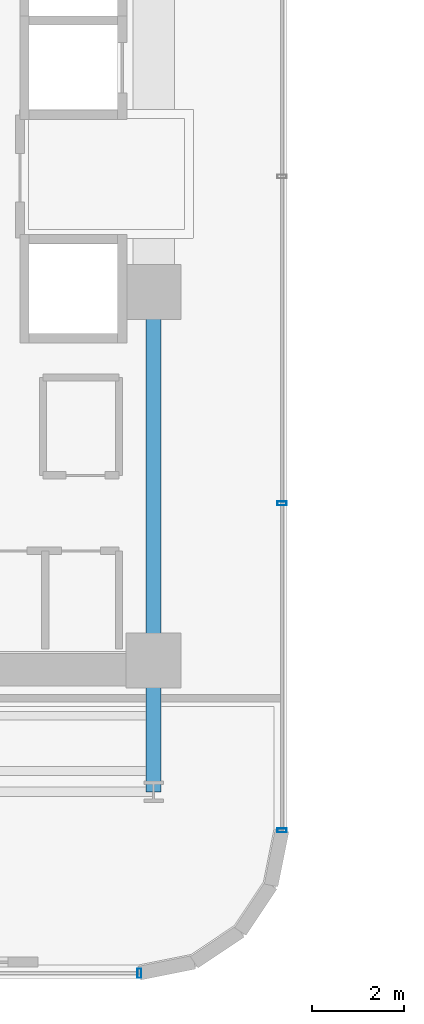
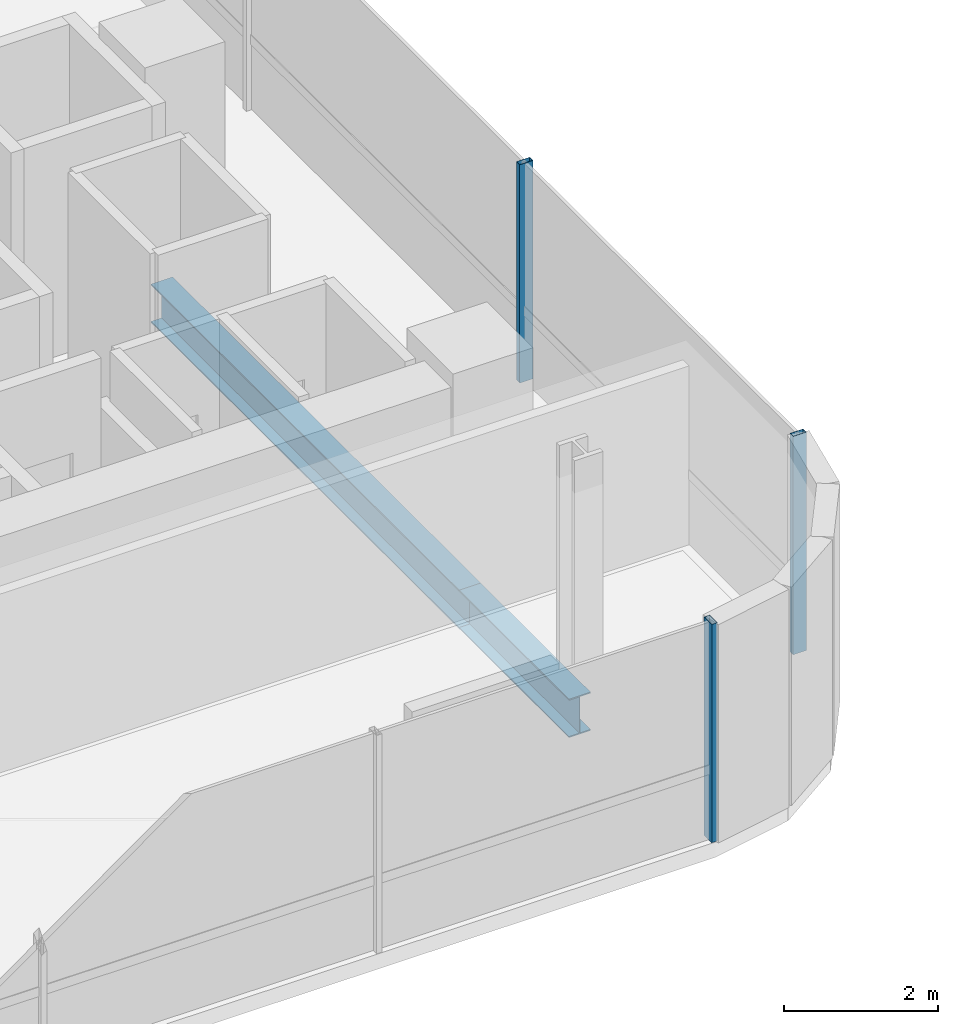
# One storey, part 5 of 35: 3 members, 2 beams, 2 elements without a shape of their own.
"""IFC4 building model written with IfcOpenShell, lengths in metres."""

from ifc_helpers import new_model, si_unit, direction, frame, origin, origin_2d, place, context, subcontext, project, spatial, hollow_rectangle, i_section, extrude, source, transform, mapped, material, material_profile, profile_set, type_object, element, aggregate, save


model = new_model("IFC4")

# Units and contexts
model_context = context("Model", 3, precision=1e-05, world=origin(), true_north=direction((0.0, 1.0)))
body_context = subcontext(model_context, "Body", "Model", "MODEL_VIEW")
ifc_project = project(units=[si_unit("LENGTHUNIT", "METRE"), si_unit("AREAUNIT", "SQUARE_METRE"), si_unit("VOLUMEUNIT", "CUBIC_METRE"), si_unit("PLANEANGLEUNIT", "RADIAN"), si_unit("MASSUNIT", "GRAM", prefix="KILO")], contexts=[model_context])

# Site, building, storey
site_placement = place(None, origin())
site = spatial("IfcSite", under=ifc_project, at=site_placement, CompositionType="ELEMENT")
building_placement = place(site_placement, origin())
building = spatial("IfcBuilding", under=site, at=building_placement, Name="Valdorenza Pilgrim Sanctuary Tower", CompositionType="ELEMENT")
storey_placement = place(building_placement, frame((0.0, 0.0, 139.0)))
storey = spatial("IfcBuildingStorey", under=building, at=storey_placement, Name="L35", CompositionType="ELEMENT", Elevation=139.0)

# Beams
ifc_material_1 = material(Name="Steel ASTM A992 Grade 50", Category="steel")
ifc_material_profile_1 = material_profile(ifc_material_1, i_section(OverallWidth=0.323974609375, OverallDepth=0.611083984375, WebThickness=0.0126953125, FlangeThickness=0.01904296875, at=origin_2d()), Name="W24X104")
ifc_profile_set_1 = profile_set([ifc_material_profile_1], Name="Steel ASTM A992 Grade 50")
beam_type = type_object("IfcBeamType", Name="STR-BM-GRD-W24B", PredefinedType="BEAM", material=ifc_profile_set_1)
shared_shape_1 = source(origin(), body_context, "Body", "SweptSolid", [
    extrude(i_section(OverallWidth=0.323974609375, OverallDepth=0.611083984375, WebThickness=0.0126953125, FlangeThickness=0.01904296875, at=origin_2d()), origin(), (0.0, 0.0, 1.0), 8.0),
])
beam_1_placement = place(storey_placement, frame((-12.39990234375, -10.60009765625, -0.54541015625), z_axis=(0.0, 1.0, 0.0), x_axis=(-1.0, 0.0, 0.0)))
element("IfcBeam", 1, at=beam_1_placement, inside=storey, type_object=beam_type, Name="L35 Core Tie Girder CA-E-S1M0", PredefinedType="BEAM", context=body_context, shape_type="MappedRepresentation", body=[
    mapped(shared_shape_1, transform((0.0, 0.0, 0.0), x_axis=(1.0, 0.0, 0.0), y_axis=(0.0, 1.0, 0.0), z_axis=(0.0, 0.0, 1.0), scale=1.0)),
])
shared_shape_2 = source(origin(), body_context, "Body", "SweptSolid", [
    extrude(i_section(OverallWidth=0.323974609375, OverallDepth=0.611083984375, WebThickness=0.0126953125, FlangeThickness=0.01904296875, at=origin_2d()), origin(), (0.0, 0.0, 1.0), 2.849853515625),
])
beam_2_placement = place(storey_placement, frame((-12.39990234375, -13.449951171875, -0.54541015625), z_axis=(0.0, 1.0, 0.0), x_axis=(-1.0, 0.0, 0.0)))
element("IfcBeam", 2, at=beam_2_placement, inside=storey, type_object=beam_type, Name="L35 Floor Girder WA-S-LE", PredefinedType="BEAM", context=body_context, shape_type="MappedRepresentation", body=[
    mapped(shared_shape_2, transform((0.0, 0.0, 0.0), x_axis=(1.0, 0.0, 0.0), y_axis=(0.0, 1.0, 0.0), z_axis=(0.0, 0.0, 1.0), scale=1.0)),
])

# Curtain wall, members
ifc_material_2 = material(Name="Curtain-wall IGU glazing", Category="glass")
curtain_wall_type = type_object("IfcCurtainWallType", Name="CW-SYS-02", PredefinedType="NOTDEFINED", material=ifc_material_2)
curtain_wall_1_placement = place(storey_placement, origin())
curtain_wall_1 = element("IfcCurtainWall", 3, at=curtain_wall_1_placement, inside=storey, type_object=curtain_wall_type, Name="L35 Curtain Wall CW-L35-1-41", PredefinedType="NOTDEFINED")
ifc_material_3 = material(Name="Anodised aluminium AW-6060", Category="aluminium")
ifc_material_profile_2 = material_profile(ifc_material_3, hollow_rectangle(XDim=0.0849609375, YDim=0.199951171875, WallThickness=0.0048828125, at=origin_2d()), Name="ALU-M 200x85x5")
ifc_profile_set_2 = profile_set([ifc_material_profile_2], Name="Anodised aluminium AW-6060")
member_type = type_object("IfcMemberType", Name="CW-MUL-02", PredefinedType="MULLION", material=ifc_profile_set_2)
shared_shape_3 = source(origin(), body_context, "Body", "SweptSolid", [
    extrude(hollow_rectangle(XDim=0.0849609375, YDim=0.199951171875, WallThickness=0.0048828125, at=origin_2d()), origin(), (0.0, 0.0, 1.0), 3.4599609375),
])
member_1_placement = place(storey_placement, frame((-9.610107421875, -7.189208984375, 0.0), z_axis=(0.0, 0.0, 1.0), x_axis=(0.0, -1.0, 0.0)))
member_1 = element("IfcMember", 4, at=member_1_placement, type_object=member_type, Name="CW-L35-1-41 Mullion 3", PredefinedType="MULLION", context=body_context, shape_type="MappedRepresentation", body=[
    mapped(shared_shape_3, transform((0.0, 0.0, 0.0), x_axis=(1.0, 0.0, 0.0), y_axis=(0.0, 1.0, 0.0), z_axis=(0.0, 0.0, 1.0), scale=1.0)),
])
member_2_placement = place(storey_placement, frame((-9.610107421875, -14.289306640625, 0.0), z_axis=(0.0, 0.0, 1.0), x_axis=(0.0, -1.0, 0.0)))
member_2 = element("IfcMember", 5, at=member_2_placement, type_object=member_type, Name="CW-L35-1-41 Mullion 4", PredefinedType="MULLION", context=body_context, shape_type="MappedRepresentation", body=[
    mapped(shared_shape_3, transform((0.0, 0.0, 0.0), x_axis=(1.0, 0.0, 0.0), y_axis=(0.0, 1.0, 0.0), z_axis=(0.0, 0.0, 1.0), scale=1.0)),
])
aggregate(curtain_wall_1, [member_1, member_2])

# Curtain wall, member
curtain_wall_2_placement = place(storey_placement, origin())
curtain_wall_2 = element("IfcCurtainWall", 6, at=curtain_wall_2_placement, inside=storey, type_object=curtain_wall_type, Name="L35 Curtain Wall CW-L35-1-46", PredefinedType="NOTDEFINED")
member_3_placement = place(storey_placement, frame((-12.710693359375, -17.389892578125, 0.0), z_axis=(0.0, 0.0, 1.0), x_axis=(-1.0, 0.0, 0.0)))
member_3 = element("IfcMember", 7, at=member_3_placement, type_object=member_type, Name="CW-L35-1-46 Mullion 1", PredefinedType="MULLION", context=body_context, shape_type="MappedRepresentation", body=[
    mapped(shared_shape_3, transform((0.0, 0.0, 0.0), x_axis=(1.0, 0.0, 0.0), y_axis=(0.0, 1.0, 0.0), z_axis=(0.0, 0.0, 1.0), scale=1.0)),
])
aggregate(curtain_wall_2, [member_3])

save(model, "model.ifc")
